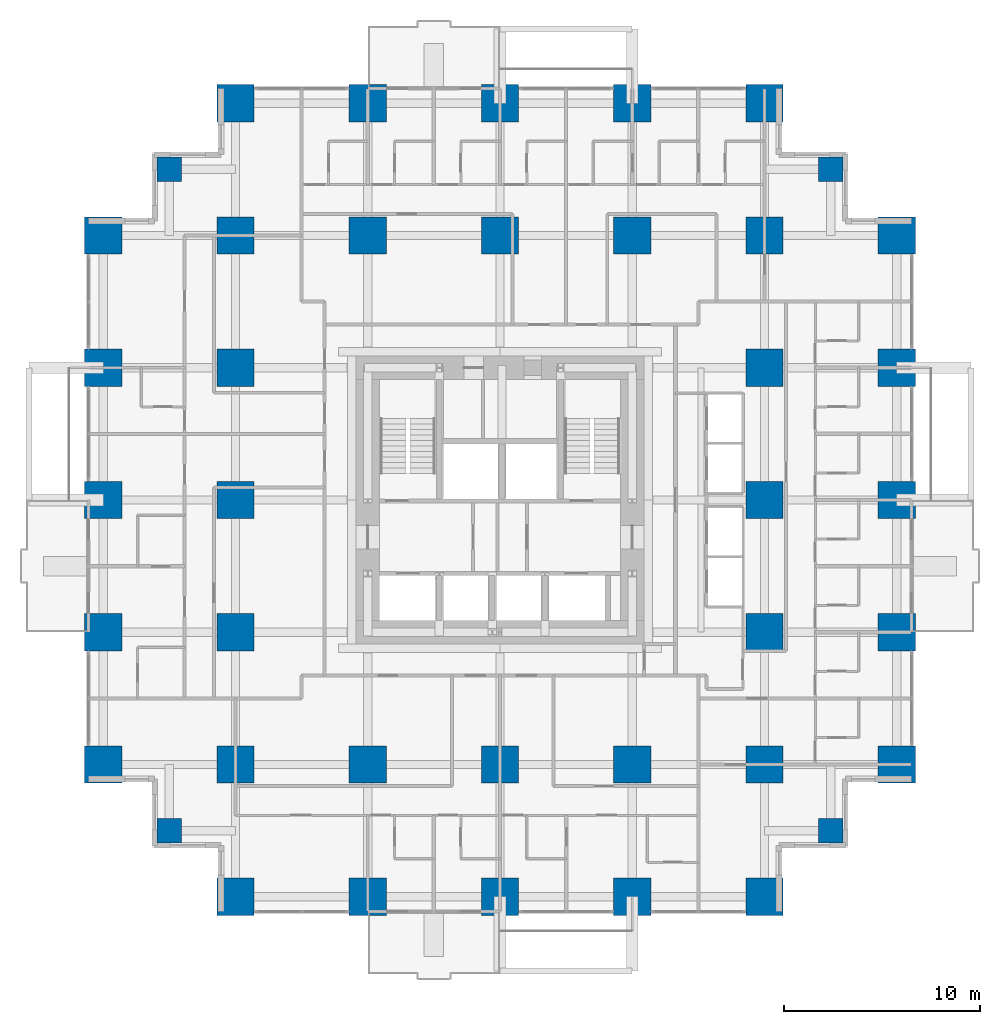
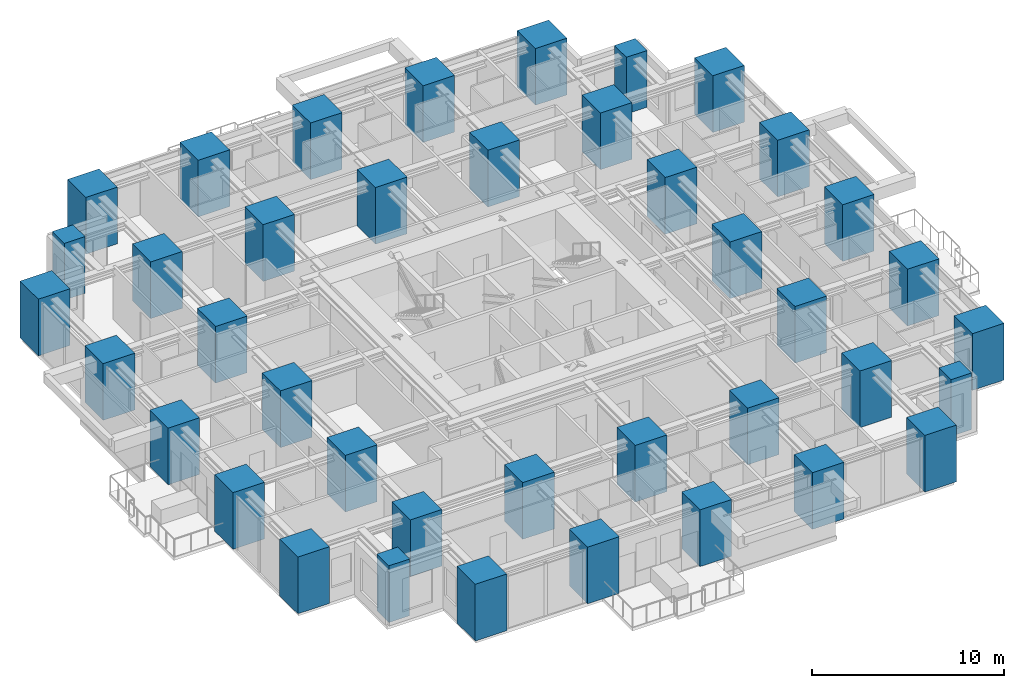
# One storey, part 1 of 15: 40 columns.
"""IFC4 building model written with IfcOpenShell, lengths in metres."""

from ifc_helpers import new_model, si_unit, direction, frame, origin, origin_2d, place, context, subcontext, project, spatial, rectangle, extrude, material, material_profile, profile_set, type_object, element, save


model = new_model("IFC4")

# Units and contexts
model_context = context("Model", 3, precision=1e-05, world=origin(), true_north=direction((0.0, 1.0)))
body_context = subcontext(model_context, "Body", "Model", "MODEL_VIEW")
ifc_project = project(units=[si_unit("LENGTHUNIT", "METRE"), si_unit("AREAUNIT", "SQUARE_METRE"), si_unit("VOLUMEUNIT", "CUBIC_METRE"), si_unit("PLANEANGLEUNIT", "RADIAN"), si_unit("MASSUNIT", "GRAM", prefix="KILO")], contexts=[model_context])

# Site, building, storey
site_placement = place(None, origin())
site = spatial("IfcSite", under=ifc_project, at=site_placement, CompositionType="ELEMENT")
building_placement = place(site_placement, origin())
building = spatial("IfcBuilding", under=site, at=building_placement, Name="Nyansa Garden Tower", CompositionType="ELEMENT")
storey_placement = place(building_placement, frame((0.0, 0.0, 32.39990234375)))
storey = spatial("IfcBuildingStorey", under=building, at=storey_placement, Name="L08", CompositionType="ELEMENT", Elevation=32.39990234375)

# Columns
ifc_material_1 = material(Name="Concrete C70/85", Category="concrete")
ifc_material_profile_1 = material_profile(ifc_material_1, rectangle(XDim=1.25, YDim=1.25, at=origin_2d()), Name="RC 1250x1250")
ifc_profile_set_1 = profile_set([ifc_material_profile_1], Name="Concrete C70/85")
column_type_1 = type_object("IfcColumnType", Name="Column C125 RC 1250x1250", PredefinedType="COLUMN", material=ifc_profile_set_1)
for number, where, z_axis, x_axis, name in (
    (1, (3.375, 3.375, 0.0), (0.0, 0.0, 1.0), (1.0, 0.0, 0.0), "Column x3.375/y3.375 L08"),
    (2, (3.375, 37.125, 0.0), (0.0, 0.0, 1.0), (1.0, 0.0, 0.0), "Column x3.375/y37.125 L08"),
    (3, (37.125, 3.375, 0.0), (0.0, 0.0, 1.0), (1.0, 0.0, 0.0), "Column x37.125/y3.375 L08"),
    (4, (37.125, 37.125, 0.0), (0.0, 0.0, 1.0), (1.0, 0.0, 0.0), "Column x37.125/y37.125 L08"),
):
    element("IfcColumn", number, at=place(storey_placement, frame(where, z_axis=z_axis, x_axis=x_axis)), inside=storey, type_object=column_type_1, Name=name, PredefinedType="COLUMN", context=body_context, shape_type="SweptSolid", body=[
        extrude(rectangle(XDim=1.25, YDim=1.25, at=origin_2d()), origin(), (0.0, 0.0, 1.0), 3.60009765625),
    ])
ifc_material_2 = material(Name="Concrete C80/95", Category="concrete")
ifc_material_profile_2 = material_profile(ifc_material_2, rectangle(XDim=1.89990234375, YDim=1.89990234375, at=origin_2d()), Name="RC 1900x1900")
ifc_profile_set_2 = profile_set([ifc_material_profile_2], Name="Concrete C80/95")
column_type_2 = type_object("IfcColumnType", Name="Column C190 RC 1900x1900", PredefinedType="COLUMN", material=ifc_profile_set_2)
for number, where, z_axis, x_axis, name in (
    (5, (0.0, 6.75, 0.0), (0.0, 0.0, 1.0), (1.0, 0.0, 0.0), "Column 2/E L08"),
    (6, (0.0, 13.5, 0.0), (0.0, 0.0, 1.0), (1.0, 0.0, 0.0), "Column 2/F L08"),
    (7, (0.0, 20.25, 0.0), (0.0, 0.0, 1.0), (1.0, 0.0, 0.0), "Column 2/G L08"),
    (8, (0.0, 27.0, 0.0), (0.0, 0.0, 1.0), (1.0, 0.0, 0.0), "Column 2/H L08"),
    (9, (0.0, 33.75, 0.0), (0.0, 0.0, 1.0), (1.0, 0.0, 0.0), "Column 2/J L08"),
    (10, (6.75, 0.0, 0.0), (0.0, 0.0, 1.0), (1.0, 0.0, 0.0), "Column 3/D L08"),
    (11, (6.75, 6.75, 0.0), (0.0, 0.0, 1.0), (1.0, 0.0, 0.0), "Column 3/E L08"),
    (12, (6.75, 13.5, 0.0), (0.0, 0.0, 1.0), (1.0, 0.0, 0.0), "Column 3/F L08"),
    (13, (6.75, 20.25, 0.0), (0.0, 0.0, 1.0), (1.0, 0.0, 0.0), "Column 3/G L08"),
    (14, (6.75, 27.0, 0.0), (0.0, 0.0, 1.0), (1.0, 0.0, 0.0), "Column 3/H L08"),
    (15, (6.75, 33.75, 0.0), (0.0, 0.0, 1.0), (1.0, 0.0, 0.0), "Column 3/J L08"),
    (16, (6.75, 40.5, 0.0), (0.0, 0.0, 1.0), (1.0, 0.0, 0.0), "Column 3/K L08"),
    (17, (13.5, 0.0, 0.0), (0.0, 0.0, 1.0), (1.0, 0.0, 0.0), "Column 4/D L08"),
    (18, (13.5, 6.75, 0.0), (0.0, 0.0, 1.0), (1.0, 0.0, 0.0), "Column 4/E L08"),
    (19, (13.5, 33.75, 0.0), (0.0, 0.0, 1.0), (1.0, 0.0, 0.0), "Column 4/J L08"),
    (20, (13.5, 40.5, 0.0), (0.0, 0.0, 1.0), (1.0, 0.0, 0.0), "Column 4/K L08"),
    (21, (20.25, 0.0, 0.0), (0.0, 0.0, 1.0), (1.0, 0.0, 0.0), "Column 5/D L08"),
    (22, (20.25, 6.75, 0.0), (0.0, 0.0, 1.0), (1.0, 0.0, 0.0), "Column 5/E L08"),
    (23, (20.25, 33.75, 0.0), (0.0, 0.0, 1.0), (1.0, 0.0, 0.0), "Column 5/J L08"),
    (24, (20.25, 40.5, 0.0), (0.0, 0.0, 1.0), (1.0, 0.0, 0.0), "Column 5/K L08"),
    (25, (27.0, 0.0, 0.0), (0.0, 0.0, 1.0), (1.0, 0.0, 0.0), "Column 6/D L08"),
    (26, (27.0, 6.75, 0.0), (0.0, 0.0, 1.0), (1.0, 0.0, 0.0), "Column 6/E L08"),
    (27, (27.0, 33.75, 0.0), (0.0, 0.0, 1.0), (1.0, 0.0, 0.0), "Column 6/J L08"),
    (28, (27.0, 40.5, 0.0), (0.0, 0.0, 1.0), (1.0, 0.0, 0.0), "Column 6/K L08"),
    (29, (33.75, 0.0, 0.0), (0.0, 0.0, 1.0), (1.0, 0.0, 0.0), "Column 7/D L08"),
    (30, (33.75, 6.75, 0.0), (0.0, 0.0, 1.0), (1.0, 0.0, 0.0), "Column 7/E L08"),
    (31, (33.75, 13.5, 0.0), (0.0, 0.0, 1.0), (1.0, 0.0, 0.0), "Column 7/F L08"),
    (32, (33.75, 20.25, 0.0), (0.0, 0.0, 1.0), (1.0, 0.0, 0.0), "Column 7/G L08"),
    (33, (33.75, 27.0, 0.0), (0.0, 0.0, 1.0), (1.0, 0.0, 0.0), "Column 7/H L08"),
    (34, (33.75, 33.75, 0.0), (0.0, 0.0, 1.0), (1.0, 0.0, 0.0), "Column 7/J L08"),
    (35, (33.75, 40.5, 0.0), (0.0, 0.0, 1.0), (1.0, 0.0, 0.0), "Column 7/K L08"),
    (36, (40.5, 6.75, 0.0), (0.0, 0.0, 1.0), (1.0, 0.0, 0.0), "Column 8/E L08"),
    (37, (40.5, 13.5, 0.0), (0.0, 0.0, 1.0), (1.0, 0.0, 0.0), "Column 8/F L08"),
    (38, (40.5, 20.25, 0.0), (0.0, 0.0, 1.0), (1.0, 0.0, 0.0), "Column 8/G L08"),
    (39, (40.5, 27.0, 0.0), (0.0, 0.0, 1.0), (1.0, 0.0, 0.0), "Column 8/H L08"),
    (40, (40.5, 33.75, 0.0), (0.0, 0.0, 1.0), (1.0, 0.0, 0.0), "Column 8/J L08"),
):
    element("IfcColumn", number, at=place(storey_placement, frame(where, z_axis=z_axis, x_axis=x_axis)), inside=storey, type_object=column_type_2, Name=name, PredefinedType="COLUMN", context=body_context, shape_type="SweptSolid", body=[
        extrude(rectangle(XDim=1.89990234375, YDim=1.89990234375, at=origin_2d()), origin(), (0.0, 0.0, 1.0), 3.60009765625),
    ])

save(model, "model.ifc")
